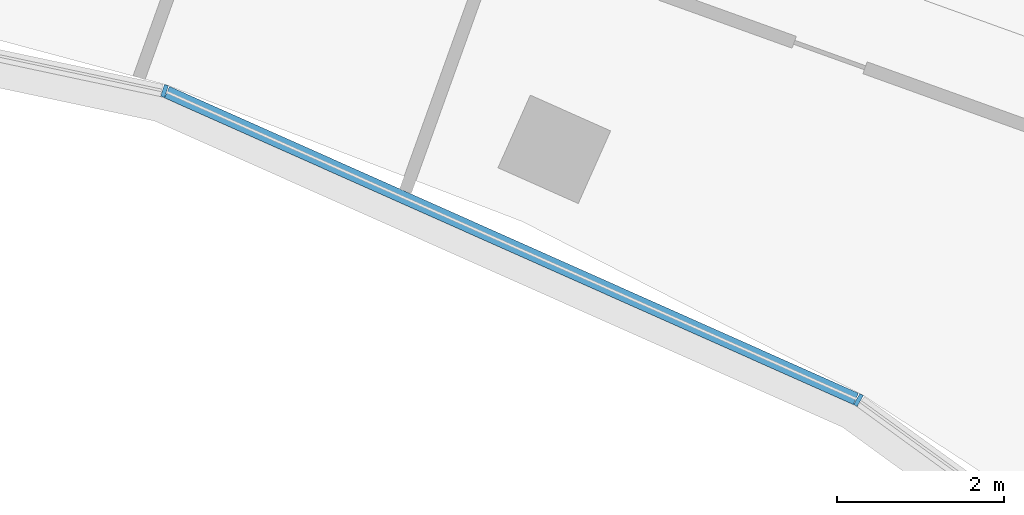
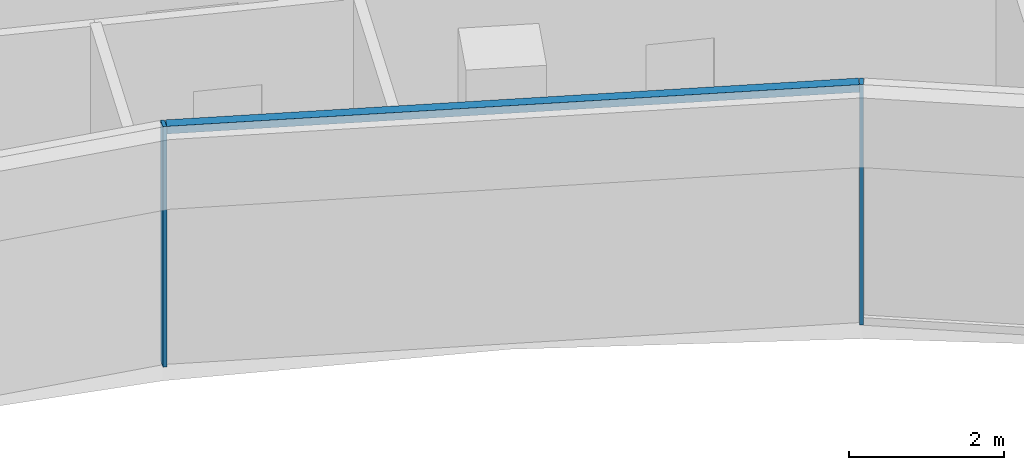
# One storey, part 4 of 19: 3 members, 1 element without a shape of its own.
"""IFC4 building model written with IfcOpenShell, lengths in metres."""

from ifc_helpers import new_model, si_unit, direction, frame, origin, origin_2d, place, context, subcontext, project, spatial, rectangle, extrude, material, layer, layer_set, material_profile, profile_set, type_object, element, aggregate, save


model = new_model("IFC4")

# Units and contexts
model_context = context("Model", 3, precision=1e-05, world=origin(), true_north=direction((0.0, 1.0)))
body_context = subcontext(model_context, "Body", "Model", "MODEL_VIEW")
ifc_project = project(units=[si_unit("LENGTHUNIT", "METRE"), si_unit("AREAUNIT", "SQUARE_METRE"), si_unit("VOLUMEUNIT", "CUBIC_METRE"), si_unit("PLANEANGLEUNIT", "RADIAN"), si_unit("MASSUNIT", "GRAM", prefix="KILO")], contexts=[model_context])

# Site, building, storey
site_placement = place(None, origin())
site = spatial("IfcSite", under=ifc_project, at=site_placement, CompositionType="ELEMENT")
building_placement = place(site_placement, origin())
building = spatial("IfcBuilding", under=site, at=building_placement, Name="Stone Belt Terrace Tower", CompositionType="ELEMENT")
storey_placement = place(building_placement, frame((0.0, 0.0, 246.60009765625)))
storey = spatial("IfcBuildingStorey", under=building, at=storey_placement, Name="L60", CompositionType="ELEMENT", Elevation=246.60009765625)

# Curtain wall, members
ifc_material = material(Name="Aluminium 6063-T6 anodised frame", Category="aluminium")
ifc_layer = layer(ifc_material, 0.14990234375)
ifc_layer_set = layer_set([ifc_layer], Name="CW-B unitised concave-face curtain wall")
curtain_wall_type = type_object("IfcCurtainWallType", Name="CW-B unitised concave-face curtain wall", PredefinedType="NOTDEFINED", material=ifc_layer_set)
curtain_wall_placement = place(storey_placement, origin())
curtain_wall = element("IfcCurtainWall", 1, at=curtain_wall_placement, inside=storey, type_object=curtain_wall_type, Name="CW-B concave face L60", PredefinedType="NOTDEFINED")
ifc_material_profile_1 = material_profile(ifc_material, rectangle(XDim=0.14990234375, YDim=0.050048828125, at=origin_2d()), Name="Aluminium 6063-T6 50x150")
ifc_profile_set_1 = profile_set([ifc_material_profile_1], Name="Aluminium 6063-T6 anodised frame")
member_type_1 = type_object("IfcMemberType", Name="CW-B mullion 50 x 150", PredefinedType="MULLION", material=ifc_profile_set_1)
member_1_placement = place(storey_placement, frame((13.4189453125, 41.29931640625, 0.0), z_axis=(0.0, 0.0, 1.0), x_axis=(0.309016994375, 0.951056516295, 0.0)))
member_1 = element("IfcMember", 2, at=member_1_placement, type_object=member_type_1, Name="CW-B mullion 6", PredefinedType="MULLION", context=body_context, shape_type="SweptSolid", body=[
    extrude(rectangle(XDim=0.14990234375, YDim=0.050048828125, at=origin_2d()), origin(), (0.0, 0.0, 1.0), 3.7998046875),
])
member_2_placement = place(storey_placement, frame((21.71240234375, 37.606689453125, 0.0), z_axis=(0.0, 0.0, 1.0), x_axis=(0.5, 0.866025403784, 0.0)))
member_2 = element("IfcMember", 3, at=member_2_placement, type_object=member_type_1, Name="CW-B mullion 7", PredefinedType="MULLION", context=body_context, shape_type="SweptSolid", body=[
    extrude(rectangle(XDim=0.14990234375, YDim=0.050048828125, at=origin_2d()), origin(), (0.0, 0.0, 1.0), 3.7998046875),
])
ifc_material_profile_2 = material_profile(ifc_material, rectangle(XDim=0.14990234375, YDim=0.1201171875, at=origin_2d()), Name="Aluminium 6063-T6 150x120")
ifc_profile_set_2 = profile_set([ifc_material_profile_2], Name="Aluminium 6063-T6 anodised frame")
member_type_2 = type_object("IfcMemberType", Name="CW-B transom 120 x 150", PredefinedType="USERDEFINED", material=ifc_profile_set_2)
member_3_placement = place(storey_placement, frame((13.44873046875, 41.285888671875, 3.739990234375), z_axis=(0.913548853737, -0.406729015237, 0.0), x_axis=(0.406729015237, 0.913548853737, 0.0)))
member_3 = element("IfcMember", 4, at=member_3_placement, type_object=member_type_2, Name="CW-B transom 6.1", ObjectType="TRANSOM", PredefinedType="USERDEFINED", context=body_context, shape_type="SweptSolid", body=[
    extrude(rectangle(XDim=0.14990234375, YDim=0.1201171875, at=origin_2d()), origin(), (0.0, 0.0, 1.0), 9.0126953125),
])
aggregate(curtain_wall, [member_1, member_2, member_3])

save(model, "model.ifc")
